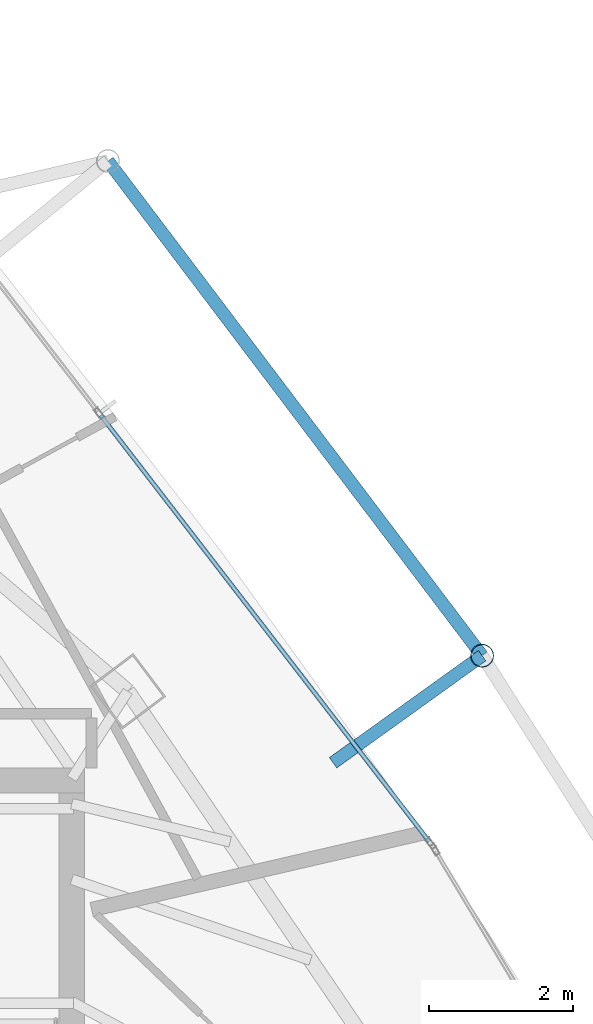
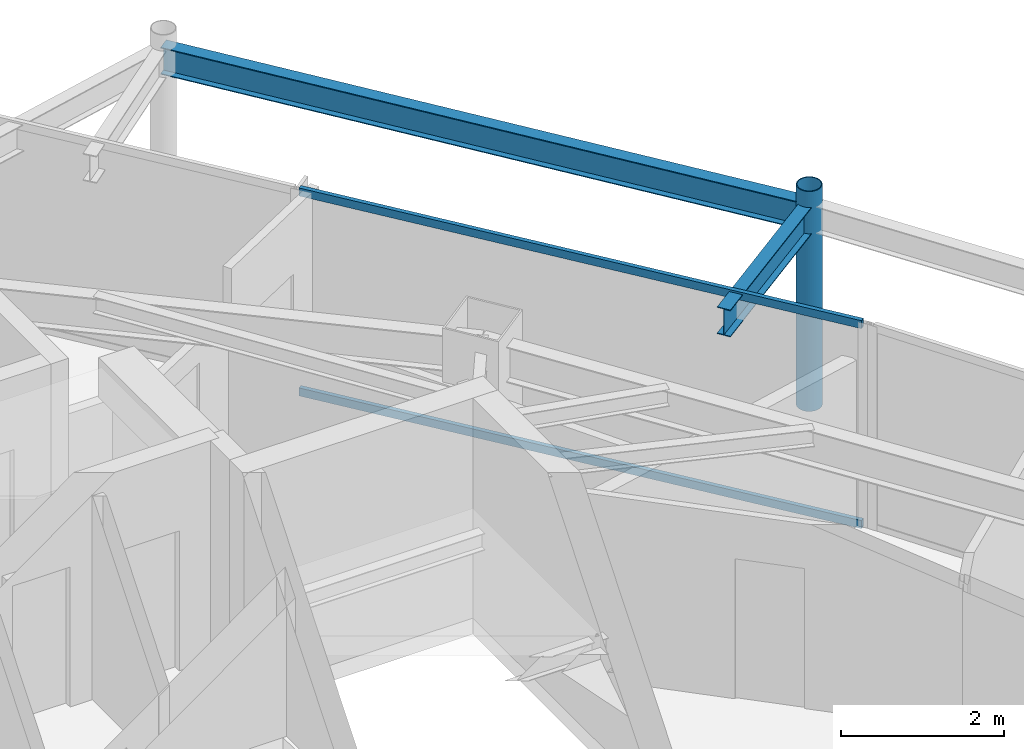
# One storey, part 25 of 32: 3 members, 2 beams, 1 element without a shape of its own.
"""IFC4 building model written with IfcOpenShell, lengths in metres."""

from ifc_helpers import new_model, si_unit, direction, frame, origin, origin_2d, place, context, subcontext, project, spatial, hollow_rectangle, hollow_circle, i_section, extrude, material, layer, layer_set, material_profile, profile_set, type_object, element, aggregate, save


model = new_model("IFC4")

# Units and contexts
model_context = context("Model", 3, precision=1e-05, world=origin(), true_north=direction((0.0, 1.0)))
body_context = subcontext(model_context, "Body", "Model", "MODEL_VIEW")
ifc_project = project(units=[si_unit("LENGTHUNIT", "METRE"), si_unit("AREAUNIT", "SQUARE_METRE"), si_unit("VOLUMEUNIT", "CUBIC_METRE"), si_unit("PLANEANGLEUNIT", "RADIAN"), si_unit("MASSUNIT", "GRAM", prefix="KILO")], contexts=[model_context])

# Site, building, storey
site_placement = place(None, origin())
site = spatial("IfcSite", under=ifc_project, at=site_placement, CompositionType="ELEMENT")
building_placement = place(site_placement, origin())
building = spatial("IfcBuilding", under=site, at=building_placement, Name="Orvanel Arch Residences", CompositionType="ELEMENT")
storey_placement = place(building_placement, frame((0.0, 0.0, 219.5)))
storey = spatial("IfcBuildingStorey", under=building, at=storey_placement, Name="L62", CompositionType="ELEMENT", Elevation=219.5)

# Beams
ifc_material_1 = material(Name="Structural steel AS/NZS 3679.1 Grade 300 (300 MPa)", Category="steel")
ifc_material_profile_1 = material_profile(ifc_material_1, i_section(OverallWidth=0.177978515625, OverallDepth=0.406005859375, WebThickness=0.0078125, FlangeThickness=0.0126953125, at=origin_2d()), Name="410UB59.7")
ifc_profile_set_1 = profile_set([ifc_material_profile_1], Name="Structural steel AS/NZS 3679.1 Grade 300 (300 MPa)")
beam_type = type_object("IfcBeamType", Name="OB-410UB-EXT", PredefinedType="SPANDREL", material=ifc_profile_set_1)
beam_1_placement = place(storey_placement, frame((43.2041015625, 34.1201171875, 2.85693359375), z_axis=(0.812307446417, 0.58322946813, 0.0), x_axis=(-0.58322946813, 0.812307446417, 0.0)))
element("IfcBeam", 1, at=beam_1_placement, inside=storey, type_object=beam_type, Name="L62 Outer Frame Radial Tie Beam 11", PredefinedType="SPANDREL", context=body_context, shape_type="SweptSolid", body=[
    extrude(i_section(OverallWidth=0.177978515625, OverallDepth=0.406005859375, WebThickness=0.0078125, FlangeThickness=0.0126953125, at=origin_2d()), origin(), (0.0, 0.0, 1.0), 2.54931640625),
])
beam_2_placement = place(storey_placement, frame((45.27490234375, 35.60693359375, 2.85693359375), z_axis=(-0.60325908202, 0.797545283956, 0.0), x_axis=(-0.797545283956, -0.60325908202, 0.0)))
element("IfcBeam", 2, at=beam_2_placement, inside=storey, type_object=beam_type, Name="L62 Outer Perimeter Floor Ring Beam 11", PredefinedType="SPANDREL", context=body_context, shape_type="SweptSolid", body=[
    extrude(i_section(OverallWidth=0.177978515625, OverallDepth=0.406005859375, WebThickness=0.0078125, FlangeThickness=0.0126953125, at=origin_2d()), origin(), (0.0, 0.0, 1.0), 8.616455078125),
])

# Member
ifc_material_2 = material(Name="Structural steel AS/NZS 1163 C350L0 (Grade 350)", Category="steel")
ifc_material_profile_2 = material_profile(ifc_material_2, hollow_circle(Radius=0.162109375, WallThickness=0.0126953125, at=origin_2d()), Name="CHS324x12.7")
ifc_profile_set_2 = profile_set([ifc_material_profile_2], Name="Structural steel AS/NZS 1163 C350L0 (Grade 350)")
member_type_1 = type_object("IfcMemberType", Name="ST-324CHS-EXT", PredefinedType="STRUT", material=ifc_profile_set_2)
member_1_placement = place(storey_placement, frame((45.27490234375, 35.60693359375, 0.0), z_axis=(0.0, 0.0, 1.0), x_axis=(1.0, 0.0, 0.0)))
element("IfcMember", 3, at=member_1_placement, inside=storey, type_object=member_type_1, Name="L62 Outer Perimeter Frame Post 11", PredefinedType="STRUT", context=body_context, shape_type="SweptSolid", body=[
    extrude(hollow_circle(Radius=0.162109375, WallThickness=0.0126953125, at=origin_2d()), origin(), (0.0, 0.0, 1.0), 3.300048828125),
])

# Curtain wall, members
ifc_material_3 = material(Name="Bronze-anodised aluminium AA6063-T6", Category="aluminium")
ifc_layer = layer(ifc_material_3, 0.175048828125)
ifc_layer_set = layer_set([ifc_layer], Name="Bronze-anodised aluminium AA6063-T6")
curtain_wall_type = type_object("IfcCurtainWallType", Name="CW4-HI-SYS", PredefinedType="NOTDEFINED", material=ifc_layer_set)
curtain_wall_placement = place(storey_placement, origin())
curtain_wall = element("IfcCurtainWall", 4, at=curtain_wall_placement, inside=storey, type_object=curtain_wall_type, Name="L62 CW4-HI-SYS Unitised Curtain Wall", PredefinedType="NOTDEFINED")
ifc_material_profile_3 = material_profile(ifc_material_3, hollow_rectangle(XDim=0.06005859375, YDim=0.1201171875, WallThickness=0.00341796875, at=origin_2d()), Name="ALU120x60x3.5")
ifc_profile_set_3 = profile_set([ifc_material_profile_3], Name="Bronze-anodised aluminium AA6063-T6")
member_type_2 = type_object("IfcMemberType", Name="TRN-120x60", PredefinedType="USERDEFINED", material=ifc_profile_set_3)
member_2_placement = place(storey_placement, frame((44.540283203125, 33.025390625, 0.030029296875), z_axis=(-0.610543707939, 0.791982563379, 0.0), x_axis=(-0.791982563379, -0.610543707939, 0.0)))
member_2 = element("IfcMember", 5, at=member_2_placement, type_object=member_type_2, Name="CW-S4 transom 1.1", ObjectType="TRANSOM", PredefinedType="USERDEFINED", context=body_context, shape_type="SweptSolid", body=[
    extrude(hollow_rectangle(XDim=0.06005859375, YDim=0.1201171875, WallThickness=0.00341796875, at=origin_2d()), origin(), (0.0, 0.0, 1.0), 7.47607421875),
])
member_3_placement = place(storey_placement, frame((44.540283203125, 33.025390625, 3.030029296875), z_axis=(-0.610543707939, 0.791982563379, 0.0), x_axis=(-0.791982563379, -0.610543707939, 0.0)))
member_3 = element("IfcMember", 6, at=member_3_placement, type_object=member_type_2, Name="CW-S4 transom 1.2", ObjectType="TRANSOM", PredefinedType="USERDEFINED", context=body_context, shape_type="SweptSolid", body=[
    extrude(hollow_rectangle(XDim=0.06005859375, YDim=0.1201171875, WallThickness=0.00341796875, at=origin_2d()), origin(), (0.0, 0.0, 1.0), 7.47607421875),
])
aggregate(curtain_wall, [member_2, member_3])

save(model, "model.ifc")
